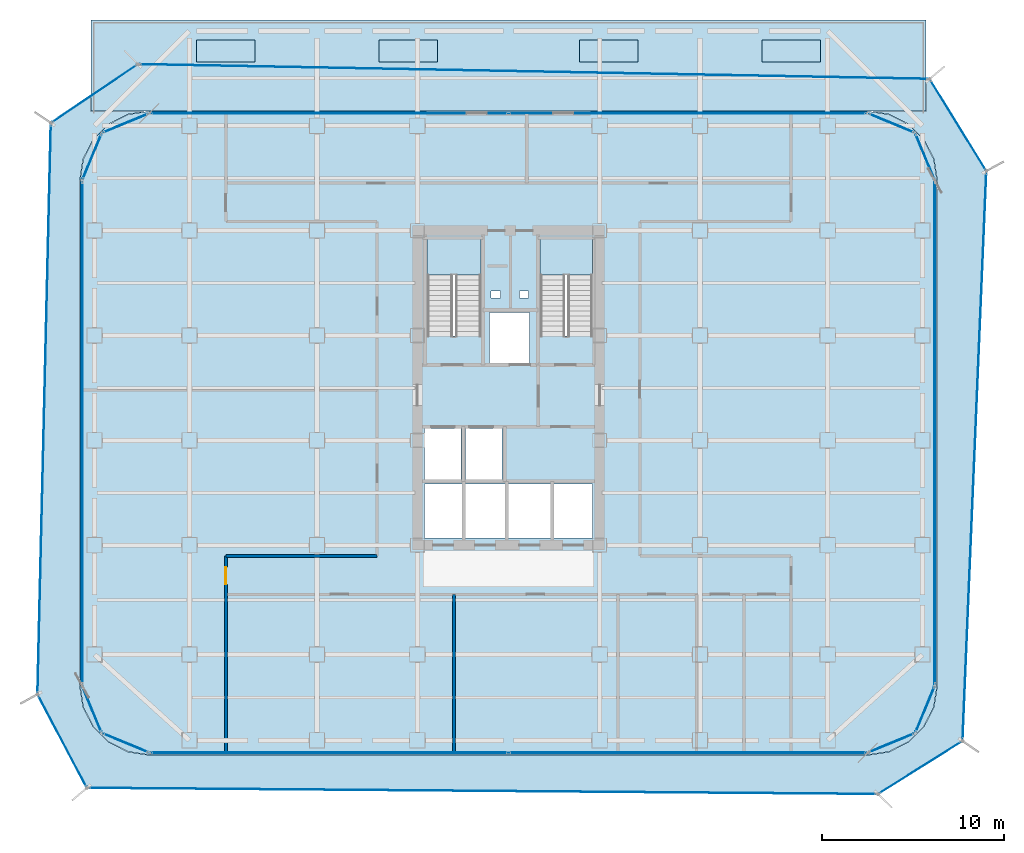
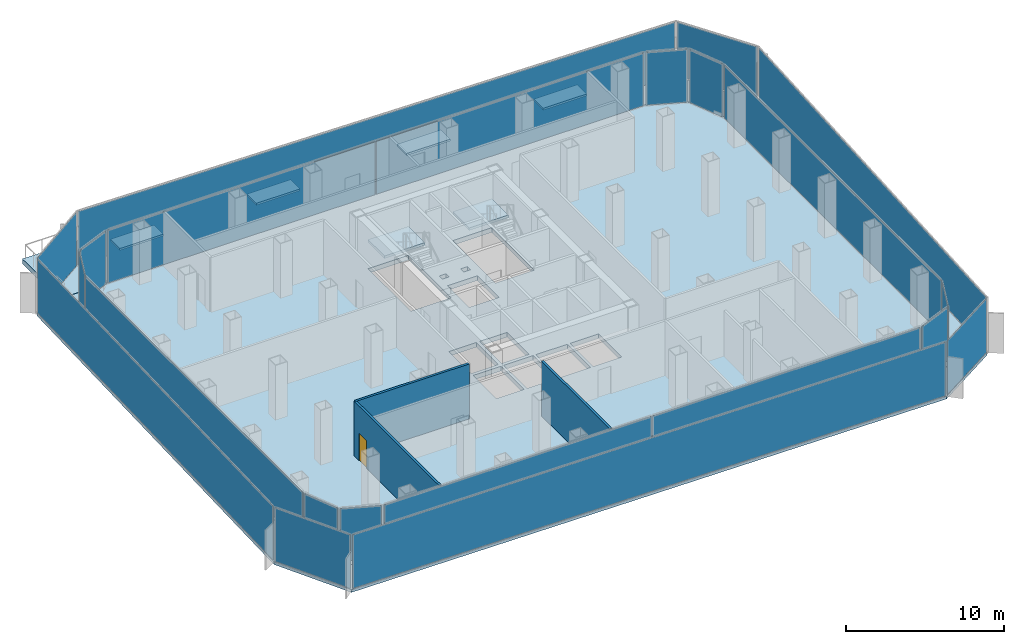
# One storey, part 16 of 21: 22 plates, 9 slabs, 3 walls, 1 door, 1 opening, 22 elements without a shape of their own.
"""IFC4 building model written with IfcOpenShell, lengths in metres."""

from ifc_helpers import new_model, si_unit, direction, frame, frame_2d, origin, origin_2d, place, context, subcontext, project, spatial, polyline, rectangle, outline, extrude, source, transform, mapped, material, layer, layer_set, type_object, element, fill, aggregate, save


model = new_model("IFC4")

# Units and contexts
model_context = context("Model", 3, precision=1e-05, world=origin(), true_north=direction((0.0, 1.0)))
body_context = subcontext(model_context, "Body", "Model", "MODEL_VIEW")
ifc_project = project(units=[si_unit("LENGTHUNIT", "METRE"), si_unit("AREAUNIT", "SQUARE_METRE"), si_unit("VOLUMEUNIT", "CUBIC_METRE"), si_unit("PLANEANGLEUNIT", "RADIAN"), si_unit("MASSUNIT", "GRAM", prefix="KILO")], contexts=[model_context])

# Site, building, storey
site_placement = place(None, origin())
site = spatial("IfcSite", under=ifc_project, at=site_placement, CompositionType="ELEMENT")
building_placement = place(site_placement, origin())
building = spatial("IfcBuilding", under=site, at=building_placement, Name="Kolveth Station Tower", CompositionType="ELEMENT")
storey_placement = place(building_placement, frame((0.0, 0.0, 88.199951171875)))
storey = spatial("IfcBuildingStorey", under=building, at=storey_placement, Name="L23", CompositionType="ELEMENT", Elevation=88.199951171875)

# Slabs
ifc_material_1 = material(Name="Concrete C50/60", Category="concrete")
ifc_layer_1 = layer(ifc_material_1, 0.360107421875)
ifc_layer_set_1 = layer_set([ifc_layer_1], Name="Concrete C50/60")
slab_type_1 = type_object("IfcSlabType", Name="Slab_SF-360", PredefinedType="FLOOR", material=ifc_layer_set_1)
slab_1_placement = place(storey_placement, frame((0.0, 0.0, -0.35986328125)))
element("IfcSlab", 1, at=slab_1_placement, inside=storey, type_object=slab_type_1, Name="L23 Tower Structural Floor Slab", PredefinedType="FLOOR", context=body_context, shape_type="SweptSolid", body=[
    extrude(outline(polyline([(43.199951171875, 0.0), (44.374267578125, 0.18603515625), (45.43359375, 0.7255859375), (46.2744140625, 1.56640625), (46.81396484375, 2.625732421875), (47.0, 3.800048828125), (47.0, 31.5), (46.81396484375, 32.67431640625), (46.2744140625, 33.733642578125), (45.43359375, 34.57421875), (44.374267578125, 35.114013671875), (43.199951171875, 35.300048828125), (3.800048828125, 35.300048828125), (2.625732421875, 35.114013671875), (1.56640625, 34.57421875), (0.7255859375, 33.733642578125), (0.18603515625, 32.67431640625), (0.0, 31.5), (0.0, 3.800048828125), (0.18603515625, 2.625732421875), (0.7255859375, 1.56640625), (1.56640625, 0.7255859375), (2.625732421875, 0.18603515625), (3.800048828125, 0.0), (43.199951171875, 0.0)]), holes=[polyline([(19.0400390625, 22.985107421875), (22.0, 22.985107421875), (22.0, 28.39990234375), (19.0400390625, 28.39990234375), (19.0400390625, 22.985107421875)]), polyline([(25.239990234375, 22.985107421875), (28.10009765625, 22.985107421875), (28.10009765625, 28.39990234375), (25.239990234375, 28.39990234375), (25.239990234375, 22.985107421875)]), polyline([(18.89990234375, 15.10009765625), (20.89990234375, 15.10009765625), (20.89990234375, 17.89990234375), (18.89990234375, 17.89990234375), (18.89990234375, 15.10009765625)]), polyline([(21.14990234375, 15.10009765625), (23.14990234375, 15.10009765625), (23.14990234375, 17.89990234375), (21.14990234375, 17.89990234375), (21.14990234375, 15.10009765625)]), polyline([(22.449951171875, 21.5), (24.64990234375, 21.5), (24.64990234375, 24.25), (22.449951171875, 24.25), (22.449951171875, 21.5)]), polyline([(18.89990234375, 11.89990234375), (20.949951171875, 11.89990234375), (20.949951171875, 14.85009765625), (18.89990234375, 14.85009765625), (18.89990234375, 11.89990234375)]), polyline([(21.14990234375, 11.89990234375), (23.300048828125, 11.89990234375), (23.300048828125, 14.85009765625), (21.14990234375, 14.85009765625), (21.14990234375, 11.89990234375)]), polyline([(23.5, 11.89990234375), (25.800048828125, 11.89990234375), (25.800048828125, 14.85009765625), (23.5, 14.85009765625), (23.5, 11.89990234375)]), polyline([(26.0, 11.89990234375), (28.10009765625, 11.89990234375), (28.10009765625, 14.85009765625), (26.0, 14.85009765625), (26.0, 11.89990234375)]), polyline([(22.550048828125, 25.050048828125), (23.050048828125, 25.050048828125), (23.050048828125, 25.449951171875), (22.550048828125, 25.449951171875), (22.550048828125, 25.050048828125)]), polyline([(24.10009765625, 25.050048828125), (24.60009765625, 25.050048828125), (24.60009765625, 25.449951171875), (24.10009765625, 25.449951171875), (24.10009765625, 25.050048828125)])]), origin(), (0.0, 0.0, 1.0), 0.35986328125),
])
slab_2_placement = place(storey_placement, frame((0.0, 0.0, -0.35986328125)))
element("IfcSlab", 2, at=slab_2_placement, inside=storey, type_object=slab_type_1, Name="L23 North Sky Garden Terrace Slab", PredefinedType="FLOOR", context=body_context, shape_type="SweptSolid", body=[
    extrude(outline(polyline([(0.60009765625, 35.31005859375), (46.39990234375, 35.31005859375), (46.39990234375, 40.300048828125), (0.60009765625, 40.300048828125), (0.60009765625, 35.31005859375)])), origin(), (0.0, 0.0, 1.0), 0.35986328125),
])

# Stair, slab
ifc_material_2 = material(Name="Concrete C40/50", Category="concrete")
stair_type_1 = type_object("IfcStairType", Name="Stair_ST2", PredefinedType="HALF_TURN_STAIR", material=ifc_material_2)
stair_1_placement = place(storey_placement, origin())
stair_1 = element("IfcStair", 3, at=stair_1_placement, inside=storey, type_object=stair_type_1, Name="L23 Tower Exit Stair ST2", PredefinedType="HALF_TURN_STAIR")
ifc_layer_2 = layer(ifc_material_2, 0.18994140625)
ifc_layer_set_2 = layer_set([ifc_layer_2], Name="Concrete C40/50")
slab_type_2 = type_object("IfcSlabType", Name="Slab_SL-190", PredefinedType="LANDING", material=ifc_layer_set_2)
slab_3_placement = place(storey_placement, frame((0.0, 0.0, 2.050048828125)))
slab_3 = element("IfcSlab", 4, at=slab_3_placement, type_object=slab_type_2, Name="ST2 landing 1", PredefinedType="LANDING", context=body_context, shape_type="SweptSolid", body=[
    extrude(outline(polyline([(28.10009765625, 26.31005859375), (28.10009765625, 28.39990234375), (25.239990234375, 28.39990234375), (25.239990234375, 26.31005859375), (28.10009765625, 26.31005859375)])), origin(), (0.0, 0.0, 1.0), 0.199951171875),
])
aggregate(stair_1, [slab_3])

stair_type_2 = type_object("IfcStairType", Name="Stair_ST1", PredefinedType="HALF_TURN_STAIR", material=ifc_material_2)
stair_2_placement = place(storey_placement, origin())
stair_2 = element("IfcStair", 5, at=stair_2_placement, inside=storey, type_object=stair_type_2, Name="L23 Tower Exit Stair ST1", PredefinedType="HALF_TURN_STAIR")
ifc_layer_3 = layer(ifc_material_2, 0.205078125)
ifc_layer_set_3 = layer_set([ifc_layer_3], Name="Concrete C40/50")
slab_type_3 = type_object("IfcSlabType", Name="Slab_SL-205", PredefinedType="LANDING", material=ifc_layer_set_3)
slab_4_placement = place(storey_placement, frame((0.0, 0.0, 2.050048828125)))
slab_4 = element("IfcSlab", 6, at=slab_4_placement, type_object=slab_type_3, Name="ST1 landing 1", PredefinedType="LANDING", context=body_context, shape_type="SweptSolid", body=[
    extrude(outline(polyline([(22.0, 26.31005859375), (22.0, 28.39990234375), (19.0400390625, 28.39990234375), (19.0400390625, 26.31005859375), (22.0, 26.31005859375)])), origin(), (0.0, 0.0, 1.0), 0.199951171875),
])
aggregate(stair_2, [slab_4])

# Slabs
ifc_layer_4 = layer(ifc_material_2, 0.2099609375)
ifc_layer_set_4 = layer_set([ifc_layer_4], Name="Concrete C40/50")
slab_type_4 = type_object("IfcSlabType", Name="Slab_ST-210", PredefinedType="FLOOR", material=ifc_layer_set_4)
slab_5_placement = place(storey_placement, frame((0.0, 0.0, -0.2099609375)))
element("IfcSlab", 7, at=slab_5_placement, inside=storey, type_object=slab_type_4, Name="L23 Double-Skin Cavity Structural Ledger Ring", PredefinedType="FLOOR", context=body_context, shape_type="SweptSolid", body=[
    extrude(outline(polyline([(46.592041015625, 37.068359375), (49.705810546875, 32.020751953125), (48.397216796875, 0.76171875), (43.762939453125, -2.1455078125), (0.385498046875, -1.807373046875), (-2.3251953125, 3.327392578125), (-1.592041015625, 34.650390625), (0.5849609375, 36.12060546875), (0.5849609375, 35.31005859375), (0.586181640625, 35.30419921875), (0.58935546875, 35.29931640625), (0.59423828125, 35.296142578125), (0.60009765625, 35.294921875), (3.672607421875, 35.294921875), (2.623291015625, 35.12890625), (2.618896484375, 35.12744140625), (1.5595703125, 34.587646484375), (1.555908203125, 34.5849609375), (0.715087890625, 33.744140625), (0.71240234375, 33.740478515625), (0.172607421875, 32.68115234375), (0.171142578125, 32.676513671875), (-0.014892578125, 31.502197265625), (-0.014892578125, 31.5), (-0.014892578125, 3.800048828125), (-0.014892578125, 3.797607421875), (0.171142578125, 2.623291015625), (0.172607421875, 2.618896484375), (0.71240234375, 1.5595703125), (0.715087890625, 1.555908203125), (1.555908203125, 0.715087890625), (1.5595703125, 0.71240234375), (2.618896484375, 0.172607421875), (2.623291015625, 0.171142578125), (3.797607421875, -0.014892578125), (3.800048828125, -0.014892578125), (43.199951171875, -0.014892578125), (43.202392578125, -0.014892578125), (44.376708984375, 0.171142578125), (44.381103515625, 0.172607421875), (45.4404296875, 0.71240234375), (45.444091796875, 0.715087890625), (46.284912109375, 1.555908203125), (46.28759765625, 1.5595703125), (46.827392578125, 2.618896484375), (46.828857421875, 2.623291015625), (47.014892578125, 3.797607421875), (47.014892578125, 3.800048828125), (47.014892578125, 31.5), (47.014892578125, 31.502197265625), (46.828857421875, 32.676513671875), (46.827392578125, 32.68115234375), (46.28759765625, 33.740478515625), (46.284912109375, 33.744140625), (45.444091796875, 34.5849609375), (45.4404296875, 34.587646484375), (44.381103515625, 35.12744140625), (44.376708984375, 35.12890625), (43.327392578125, 35.294921875), (46.39990234375, 35.294921875), (46.40576171875, 35.296142578125), (46.41064453125, 35.29931640625), (46.413818359375, 35.30419921875), (46.4150390625, 35.31005859375), (46.4150390625, 37.07177734375), (46.592041015625, 37.068359375)])), origin(), (0.0, 0.0, 1.0), 0.2099609375),
])
ifc_layer_5 = layer(ifc_material_2, 0.159912109375)
ifc_layer_set_5 = layer_set([ifc_layer_5], Name="Concrete C40/50")
slab_type_5 = type_object("IfcSlabType", Name="Slab_PL-160", PredefinedType="FLOOR", material=ifc_layer_set_5)
shared_shape_1 = source(origin(), body_context, "Body", "SweptSolid", [
    extrude(rectangle(XDim=3.199951171875, YDim=1.199951171875, at=origin_2d()), origin(), (0.0, 0.0, 1.0), 0.159912109375),
])
for number, where, z_axis, x_axis, name in (
    (8, (8.0, 38.60009765625, 0.0), (0.0, 0.0, 1.0), (1.0, 0.0, 0.0), "L23 Sky Garden Planter Bed 1"),
    (9, (18.0, 38.60009765625, 0.0), (0.0, 0.0, 1.0), (1.0, 0.0, 0.0), "L23 Sky Garden Planter Bed 2"),
    (10, (29.0, 38.60009765625, 0.0), (0.0, 0.0, 1.0), (1.0, 0.0, 0.0), "L23 Sky Garden Planter Bed 3"),
    (11, (39.0, 38.60009765625, 0.0), (0.0, 0.0, 1.0), (1.0, 0.0, 0.0), "L23 Sky Garden Planter Bed 4"),
):
    element("IfcSlab", number, at=place(storey_placement, frame(where, z_axis=z_axis, x_axis=x_axis)), inside=storey, type_object=slab_type_5, Name=name, PredefinedType="FLOOR", context=body_context, shape_type="MappedRepresentation", body=[
        mapped(shared_shape_1, transform((0.0, 0.0, 0.0), x_axis=(1.0, 0.0, 0.0), y_axis=(0.0, 1.0, 0.0), z_axis=(0.0, 0.0, 1.0), scale=1.0)),
    ])

# Curtain wall, plate
ifc_material_3 = material(Name="Aluminium 6063-T6 and acoustic laminated dark glass", Category="aluminium")
ifc_layer_6 = layer(ifc_material_3, 0.219970703125)
ifc_layer_set_6 = layer_set([ifc_layer_6], Name="Aluminium 6063-T6 and acoustic laminated dark glass")
curtain_wall_type_1 = type_object("IfcCurtainWallType", Name="CurtainWall_CW-SL", PredefinedType="NOTDEFINED", material=ifc_layer_set_6)
curtain_wall_1_placement = place(storey_placement, origin())
curtain_wall_1 = element("IfcCurtainWall", 12, at=curtain_wall_1_placement, inside=storey, type_object=curtain_wall_type_1, Name="L23 Inner Thermal Curtain Wall 1", PredefinedType="NOTDEFINED")
ifc_material_4 = material(Name="Architectural low-E dark glass", Category="glass")
ifc_layer_7 = layer(ifc_material_4, 0.0458984375)
ifc_layer_set_7 = layer_set([ifc_layer_7], Name="Architectural low-E dark glass")
plate_type_1 = type_object("IfcPlateType", Name="Panel_GL-SL", PredefinedType="CURTAIN_PANEL", material=ifc_layer_set_7)
shared_shape_2 = source(origin(), body_context, "Body", "SweptSolid", [
    extrude(rectangle(XDim=2.640625, YDim=0.0458984375, at=origin_2d()), origin(), (0.0, 0.0, 1.0), 4.083984375),
])
plate_1_placement = place(storey_placement, frame((44.501220703125, 0.658935546875, 0.0830078125), z_axis=(0.0, 0.0, 1.0), x_axis=(0.923887883787, 0.38266326998, 0.0)))
plate_1 = element("IfcPlate", 13, at=plate_1_placement, type_object=plate_type_1, Name="CW-SL panel 1.1", PredefinedType="CURTAIN_PANEL", context=body_context, shape_type="MappedRepresentation", body=[
    mapped(shared_shape_2, transform((0.0, 0.0, 0.0), x_axis=(1.0, 0.0, 0.0), y_axis=(0.0, 1.0, 0.0), z_axis=(0.0, 0.0, 1.0), scale=1.0)),
])
aggregate(curtain_wall_1, [plate_1])

curtain_wall_2_placement = place(storey_placement, origin())
curtain_wall_2 = element("IfcCurtainWall", 14, at=curtain_wall_2_placement, inside=storey, type_object=curtain_wall_type_1, Name="L23 Inner Thermal Curtain Wall 2", PredefinedType="NOTDEFINED")
plate_2_placement = place(storey_placement, frame((46.341064453125, 2.498779296875, 0.0830078125), z_axis=(0.0, 0.0, 1.0), x_axis=(0.38266326998, 0.923887883787, 0.0)))
plate_2 = element("IfcPlate", 15, at=plate_2_placement, type_object=plate_type_1, Name="CW-SL panel 1.1", PredefinedType="CURTAIN_PANEL", context=body_context, shape_type="MappedRepresentation", body=[
    mapped(shared_shape_2, transform((0.0, 0.0, 0.0), x_axis=(1.0, 0.0, 0.0), y_axis=(0.0, 1.0, 0.0), z_axis=(0.0, 0.0, 1.0), scale=1.0)),
])
aggregate(curtain_wall_2, [plate_2])

curtain_wall_3_placement = place(storey_placement, origin())
curtain_wall_3 = element("IfcCurtainWall", 16, at=curtain_wall_3_placement, inside=storey, type_object=curtain_wall_type_1, Name="L23 Inner Thermal Curtain Wall 4", PredefinedType="NOTDEFINED")
plate_3_placement = place(storey_placement, frame((46.341064453125, 32.801025390625, 0.0830078125), z_axis=(0.0, 0.0, 1.0), x_axis=(-0.38266326998, 0.923887883787, 0.0)))
plate_3 = element("IfcPlate", 17, at=plate_3_placement, type_object=plate_type_1, Name="CW-SL panel 1.1", PredefinedType="CURTAIN_PANEL", context=body_context, shape_type="MappedRepresentation", body=[
    mapped(shared_shape_2, transform((0.0, 0.0, 0.0), x_axis=(1.0, 0.0, 0.0), y_axis=(0.0, 1.0, 0.0), z_axis=(0.0, 0.0, 1.0), scale=1.0)),
])
aggregate(curtain_wall_3, [plate_3])

curtain_wall_4_placement = place(storey_placement, origin())
curtain_wall_4 = element("IfcCurtainWall", 18, at=curtain_wall_4_placement, inside=storey, type_object=curtain_wall_type_1, Name="L23 Inner Thermal Curtain Wall 5", PredefinedType="NOTDEFINED")
plate_4_placement = place(storey_placement, frame((44.501220703125, 34.64111328125, 0.0830078125), z_axis=(0.0, 0.0, 1.0), x_axis=(-0.923887883787, 0.38266326998, 0.0)))
plate_4 = element("IfcPlate", 19, at=plate_4_placement, type_object=plate_type_1, Name="CW-SL panel 1.1", PredefinedType="CURTAIN_PANEL", context=body_context, shape_type="MappedRepresentation", body=[
    mapped(shared_shape_2, transform((0.0, 0.0, 0.0), x_axis=(1.0, 0.0, 0.0), y_axis=(0.0, 1.0, 0.0), z_axis=(0.0, 0.0, 1.0), scale=1.0)),
])
aggregate(curtain_wall_4, [plate_4])

curtain_wall_5_placement = place(storey_placement, origin())
curtain_wall_5 = element("IfcCurtainWall", 20, at=curtain_wall_5_placement, inside=storey, type_object=curtain_wall_type_1, Name="L23 Inner Thermal Curtain Wall 7", PredefinedType="NOTDEFINED")
plate_5_placement = place(storey_placement, frame((2.498779296875, 34.64111328125, 0.0830078125), z_axis=(0.0, 0.0, 1.0), x_axis=(-0.923887883787, -0.38266326998, 0.0)))
plate_5 = element("IfcPlate", 21, at=plate_5_placement, type_object=plate_type_1, Name="CW-SL panel 1.1", PredefinedType="CURTAIN_PANEL", context=body_context, shape_type="MappedRepresentation", body=[
    mapped(shared_shape_2, transform((0.0, 0.0, 0.0), x_axis=(1.0, 0.0, 0.0), y_axis=(0.0, 1.0, 0.0), z_axis=(0.0, 0.0, 1.0), scale=1.0)),
])
aggregate(curtain_wall_5, [plate_5])

curtain_wall_6_placement = place(storey_placement, origin())
curtain_wall_6 = element("IfcCurtainWall", 22, at=curtain_wall_6_placement, inside=storey, type_object=curtain_wall_type_1, Name="L23 Inner Thermal Curtain Wall 8", PredefinedType="NOTDEFINED")
plate_6_placement = place(storey_placement, frame((0.658935546875, 32.801025390625, 0.0830078125), z_axis=(0.0, 0.0, 1.0), x_axis=(-0.38266326998, -0.923887883787, 0.0)))
plate_6 = element("IfcPlate", 23, at=plate_6_placement, type_object=plate_type_1, Name="CW-SL panel 1.1", PredefinedType="CURTAIN_PANEL", context=body_context, shape_type="MappedRepresentation", body=[
    mapped(shared_shape_2, transform((0.0, 0.0, 0.0), x_axis=(1.0, 0.0, 0.0), y_axis=(0.0, 1.0, 0.0), z_axis=(0.0, 0.0, 1.0), scale=1.0)),
])
aggregate(curtain_wall_6, [plate_6])

curtain_wall_7_placement = place(storey_placement, origin())
curtain_wall_7 = element("IfcCurtainWall", 24, at=curtain_wall_7_placement, inside=storey, type_object=curtain_wall_type_1, Name="L23 Inner Thermal Curtain Wall 10", PredefinedType="NOTDEFINED")
plate_7_placement = place(storey_placement, frame((0.658935546875, 2.498779296875, 0.0830078125), z_axis=(0.0, 0.0, 1.0), x_axis=(0.38266326998, -0.923887883787, 0.0)))
plate_7 = element("IfcPlate", 25, at=plate_7_placement, type_object=plate_type_1, Name="CW-SL panel 1.1", PredefinedType="CURTAIN_PANEL", context=body_context, shape_type="MappedRepresentation", body=[
    mapped(shared_shape_2, transform((0.0, 0.0, 0.0), x_axis=(1.0, 0.0, 0.0), y_axis=(0.0, 1.0, 0.0), z_axis=(0.0, 0.0, 1.0), scale=1.0)),
])
aggregate(curtain_wall_7, [plate_7])

curtain_wall_8_placement = place(storey_placement, origin())
curtain_wall_8 = element("IfcCurtainWall", 26, at=curtain_wall_8_placement, inside=storey, type_object=curtain_wall_type_1, Name="L23 Inner Thermal Curtain Wall 11", PredefinedType="NOTDEFINED")
plate_8_placement = place(storey_placement, frame((2.498779296875, 0.658935546875, 0.0830078125), z_axis=(0.0, 0.0, 1.0), x_axis=(0.923887883787, -0.38266326998, 0.0)))
plate_8 = element("IfcPlate", 27, at=plate_8_placement, type_object=plate_type_1, Name="CW-SL panel 1.1", PredefinedType="CURTAIN_PANEL", context=body_context, shape_type="MappedRepresentation", body=[
    mapped(shared_shape_2, transform((0.0, 0.0, 0.0), x_axis=(1.0, 0.0, 0.0), y_axis=(0.0, 1.0, 0.0), z_axis=(0.0, 0.0, 1.0), scale=1.0)),
])
aggregate(curtain_wall_8, [plate_8])

curtain_wall_9_placement = place(storey_placement, origin())
curtain_wall_9 = element("IfcCurtainWall", 28, at=curtain_wall_9_placement, inside=storey, type_object=curtain_wall_type_1, Name="L23 Inner Thermal Curtain Wall 3", PredefinedType="NOTDEFINED")
shared_shape_3 = source(origin(), body_context, "Body", "SweptSolid", [
    extrude(rectangle(XDim=27.52392578125, YDim=0.0458984375, at=origin_2d()), origin(), (0.0, 0.0, 1.0), 4.083984375),
])
plate_9_placement = place(storey_placement, frame((46.8798828125, 17.64990234375, 0.0830078125), z_axis=(0.0, 0.0, 1.0), x_axis=(0.0, 1.0, 0.0)))
plate_9 = element("IfcPlate", 29, at=plate_9_placement, type_object=plate_type_1, Name="CW-SL panel 1.1", PredefinedType="CURTAIN_PANEL", context=body_context, shape_type="MappedRepresentation", body=[
    mapped(shared_shape_3, transform((0.0, 0.0, 0.0), x_axis=(1.0, 0.0, 0.0), y_axis=(0.0, 1.0, 0.0), z_axis=(0.0, 0.0, 1.0), scale=1.0)),
])
aggregate(curtain_wall_9, [plate_9])

curtain_wall_10_placement = place(storey_placement, origin())
curtain_wall_10 = element("IfcCurtainWall", 30, at=curtain_wall_10_placement, inside=storey, type_object=curtain_wall_type_1, Name="L23 Inner Thermal Curtain Wall 9", PredefinedType="NOTDEFINED")
plate_10_placement = place(storey_placement, frame((0.1201171875, 17.64990234375, 0.0830078125), z_axis=(0.0, 0.0, 1.0), x_axis=(0.0, -1.0, 0.0)))
plate_10 = element("IfcPlate", 31, at=plate_10_placement, type_object=plate_type_1, Name="CW-SL panel 1.1", PredefinedType="CURTAIN_PANEL", context=body_context, shape_type="MappedRepresentation", body=[
    mapped(shared_shape_3, transform((0.0, 0.0, 0.0), x_axis=(1.0, 0.0, 0.0), y_axis=(0.0, 1.0, 0.0), z_axis=(0.0, 0.0, 1.0), scale=1.0)),
])
aggregate(curtain_wall_10, [plate_10])

# Curtain wall, plates
curtain_wall_11_placement = place(storey_placement, origin())
curtain_wall_11 = element("IfcCurtainWall", 32, at=curtain_wall_11_placement, inside=storey, type_object=curtain_wall_type_1, Name="L23 Inner Thermal Curtain Wall 6", PredefinedType="NOTDEFINED")
shared_shape_4 = source(origin(), body_context, "Body", "SweptSolid", [
    extrude(rectangle(XDim=19.571533203125, YDim=0.0458984375, at=origin_2d()), origin(), (0.0, 0.0, 1.0), 4.083984375),
])
plate_11_placement = place(storey_placement, frame((33.326171875, 35.179931640625, 0.0830078125), z_axis=(0.0, 0.0, 1.0), x_axis=(-1.0, 0.0, 0.0)))
plate_11 = element("IfcPlate", 33, at=plate_11_placement, type_object=plate_type_1, Name="CW-SL panel 1.1", PredefinedType="CURTAIN_PANEL", context=body_context, shape_type="MappedRepresentation", body=[
    mapped(shared_shape_4, transform((0.0, 0.0, 0.0), x_axis=(1.0, 0.0, 0.0), y_axis=(0.0, 1.0, 0.0), z_axis=(0.0, 0.0, 1.0), scale=1.0)),
])
plate_12_placement = place(storey_placement, frame((13.673828125, 35.179931640625, 0.0830078125), z_axis=(0.0, 0.0, 1.0), x_axis=(-1.0, 0.0, 0.0)))
plate_12 = element("IfcPlate", 34, at=plate_12_placement, type_object=plate_type_1, Name="CW-SL panel 2.1", PredefinedType="CURTAIN_PANEL", context=body_context, shape_type="MappedRepresentation", body=[
    mapped(shared_shape_4, transform((0.0, 0.0, 0.0), x_axis=(1.0, 0.0, 0.0), y_axis=(0.0, 1.0, 0.0), z_axis=(0.0, 0.0, 1.0), scale=1.0)),
])
aggregate(curtain_wall_11, [plate_11, plate_12])

curtain_wall_12_placement = place(storey_placement, origin())
curtain_wall_12 = element("IfcCurtainWall", 35, at=curtain_wall_12_placement, inside=storey, type_object=curtain_wall_type_1, Name="L23 Inner Thermal Curtain Wall 12", PredefinedType="NOTDEFINED")
plate_13_placement = place(storey_placement, frame((13.673828125, 0.1201171875, 0.0830078125), z_axis=(0.0, 0.0, 1.0), x_axis=(1.0, 0.0, 0.0)))
plate_13 = element("IfcPlate", 36, at=plate_13_placement, type_object=plate_type_1, Name="CW-SL panel 1.1", PredefinedType="CURTAIN_PANEL", context=body_context, shape_type="MappedRepresentation", body=[
    mapped(shared_shape_4, transform((0.0, 0.0, 0.0), x_axis=(1.0, 0.0, 0.0), y_axis=(0.0, 1.0, 0.0), z_axis=(0.0, 0.0, 1.0), scale=1.0)),
])
plate_14_placement = place(storey_placement, frame((33.326171875, 0.1201171875, 0.0830078125), z_axis=(0.0, 0.0, 1.0), x_axis=(1.0, 0.0, 0.0)))
plate_14 = element("IfcPlate", 37, at=plate_14_placement, type_object=plate_type_1, Name="CW-SL panel 2.1", PredefinedType="CURTAIN_PANEL", context=body_context, shape_type="MappedRepresentation", body=[
    mapped(shared_shape_4, transform((0.0, 0.0, 0.0), x_axis=(1.0, 0.0, 0.0), y_axis=(0.0, 1.0, 0.0), z_axis=(0.0, 0.0, 1.0), scale=1.0)),
])
aggregate(curtain_wall_12, [plate_13, plate_14])

# Curtain wall, plate
ifc_material_5 = material(Name="Black anodized aluminium 6063-T6 and dark solar glass", Category="aluminium")
ifc_layer_8 = layer(ifc_material_5, 0.159912109375)
ifc_layer_set_8 = layer_set([ifc_layer_8], Name="Black anodized aluminium 6063-T6 and dark solar glass")
curtain_wall_type_2 = type_object("IfcCurtainWallType", Name="OUTER SKIN CW-OS", PredefinedType="NOTDEFINED", material=ifc_layer_set_8)
curtain_wall_13_placement = place(storey_placement, origin())
curtain_wall_13 = element("IfcCurtainWall", 38, at=curtain_wall_13_placement, inside=storey, type_object=curtain_wall_type_2, Name="L23 Outer Ventilated Skin Curtain Wall 1", PredefinedType="NOTDEFINED")
ifc_layer_9 = layer(ifc_material_4, 0.028076171875)
ifc_layer_set_9 = layer_set([ifc_layer_9], Name="Architectural low-E dark glass")
plate_type_2 = type_object("IfcPlateType", Name="Panel_GL-OS", PredefinedType="CURTAIN_PANEL", material=ifc_layer_set_9)
shared_shape_5 = source(origin(), body_context, "Body", "SweptSolid", [
    extrude(rectangle(XDim=5.3046875, YDim=0.028076171875, at=origin_2d()), origin(), (0.0, 0.0, 1.0), 4.14404296875),
])
plate_15_placement = place(storey_placement, frame((46.080078125, -0.69189453125, 0.072998046875), z_axis=(0.0, 0.0, 1.0), x_axis=(0.847104715999, 0.531426006263, 0.0)))
plate_15 = element("IfcPlate", 39, at=plate_15_placement, type_object=plate_type_2, Name="CW-OS panel 1.1", PredefinedType="CURTAIN_PANEL", context=body_context, shape_type="MappedRepresentation", body=[
    mapped(shared_shape_5, transform((0.0, 0.0, 0.0), x_axis=(1.0, 0.0, 0.0), y_axis=(0.0, 1.0, 0.0), z_axis=(0.0, 0.0, 1.0), scale=1.0)),
])
aggregate(curtain_wall_13, [plate_15])

curtain_wall_14_placement = place(storey_placement, origin())
curtain_wall_14 = element("IfcCurtainWall", 40, at=curtain_wall_14_placement, inside=storey, type_object=curtain_wall_type_2, Name="L23 Outer Ventilated Skin Curtain Wall 2", PredefinedType="NOTDEFINED")
shared_shape_6 = source(origin(), body_context, "Body", "SweptSolid", [
    extrude(rectangle(XDim=31.120361328125, YDim=0.028076171875, at=origin_2d()), origin(), (0.0, 0.0, 1.0), 4.14404296875),
])
plate_16_placement = place(storey_placement, frame((49.051513671875, 16.391357421875, 0.072998046875), z_axis=(0.0, 0.0, 1.0), x_axis=(0.041823451378, 0.999125016659, 0.0)))
plate_16 = element("IfcPlate", 41, at=plate_16_placement, type_object=plate_type_2, Name="CW-OS panel 1.1", PredefinedType="CURTAIN_PANEL", context=body_context, shape_type="MappedRepresentation", body=[
    mapped(shared_shape_6, transform((0.0, 0.0, 0.0), x_axis=(1.0, 0.0, 0.0), y_axis=(0.0, 1.0, 0.0), z_axis=(0.0, 0.0, 1.0), scale=1.0)),
])
aggregate(curtain_wall_14, [plate_16])

curtain_wall_15_placement = place(storey_placement, origin())
curtain_wall_15 = element("IfcCurtainWall", 42, at=curtain_wall_15_placement, inside=storey, type_object=curtain_wall_type_2, Name="L23 Outer Ventilated Skin Curtain Wall 3", PredefinedType="NOTDEFINED")
shared_shape_7 = source(origin(), body_context, "Body", "SweptSolid", [
    extrude(rectangle(XDim=5.764892578125, YDim=0.028076171875, at=origin_2d()), origin(), (0.0, 0.0, 1.0), 4.14404296875),
])
plate_17_placement = place(storey_placement, frame((48.14892578125, 34.54443359375, 0.072998046875), z_axis=(0.0, 0.0, 1.0), x_axis=(-0.525004951327, 0.851099172296, 0.0)))
plate_17 = element("IfcPlate", 43, at=plate_17_placement, type_object=plate_type_2, Name="CW-OS panel 1.1", PredefinedType="CURTAIN_PANEL", context=body_context, shape_type="MappedRepresentation", body=[
    mapped(shared_shape_7, transform((0.0, 0.0, 0.0), x_axis=(1.0, 0.0, 0.0), y_axis=(0.0, 1.0, 0.0), z_axis=(0.0, 0.0, 1.0), scale=1.0)),
])
aggregate(curtain_wall_15, [plate_17])

curtain_wall_16_placement = place(storey_placement, origin())
curtain_wall_16 = element("IfcCurtainWall", 44, at=curtain_wall_16_placement, inside=storey, type_object=curtain_wall_type_2, Name="L23 Outer Ventilated Skin Curtain Wall 4", PredefinedType="NOTDEFINED")
shared_shape_8 = source(origin(), body_context, "Body", "SweptSolid", [
    extrude(rectangle(XDim=43.249755859375, YDim=0.028076171875, at=origin_2d()), origin(), (0.0, 0.0, 1.0), 4.14404296875),
])
plate_18_placement = place(storey_placement, frame((24.887939453125, 37.47216796875, 0.072998046875), z_axis=(0.0, 0.0, 1.0), x_axis=(-0.999827105288, 0.018594610293, 0.0)))
plate_18 = element("IfcPlate", 45, at=plate_18_placement, type_object=plate_type_2, Name="CW-OS panel 1.1", PredefinedType="CURTAIN_PANEL", context=body_context, shape_type="MappedRepresentation", body=[
    mapped(shared_shape_8, transform((0.0, 0.0, 0.0), x_axis=(1.0, 0.0, 0.0), y_axis=(0.0, 1.0, 0.0), z_axis=(0.0, 0.0, 1.0), scale=1.0)),
])
aggregate(curtain_wall_16, [plate_18])

curtain_wall_17_placement = place(storey_placement, origin())
curtain_wall_17 = element("IfcCurtainWall", 46, at=curtain_wall_17_placement, inside=storey, type_object=curtain_wall_type_2, Name="L23 Outer Ventilated Skin Curtain Wall 5", PredefinedType="NOTDEFINED")
shared_shape_9 = source(origin(), body_context, "Body", "SweptSolid", [
    extrude(rectangle(XDim=5.596923828125, YDim=0.028076171875, at=origin_2d()), origin(), (0.0, 0.0, 1.0), 4.14404296875),
])
plate_19_placement = place(storey_placement, frame((0.7958984375, 36.26318359375, 0.072998046875), z_axis=(0.0, 0.0, 1.0), x_axis=(-0.828730571761, -0.559647781581, 0.0)))
plate_19 = element("IfcPlate", 47, at=plate_19_placement, type_object=plate_type_2, Name="CW-OS panel 1.1", PredefinedType="CURTAIN_PANEL", context=body_context, shape_type="MappedRepresentation", body=[
    mapped(shared_shape_9, transform((0.0, 0.0, 0.0), x_axis=(1.0, 0.0, 0.0), y_axis=(0.0, 1.0, 0.0), z_axis=(0.0, 0.0, 1.0), scale=1.0)),
])
aggregate(curtain_wall_17, [plate_19])

curtain_wall_18_placement = place(storey_placement, origin())
curtain_wall_18 = element("IfcCurtainWall", 48, at=curtain_wall_18_placement, inside=storey, type_object=curtain_wall_type_2, Name="L23 Outer Ventilated Skin Curtain Wall 6", PredefinedType="NOTDEFINED")
shared_shape_10 = source(origin(), body_context, "Body", "SweptSolid", [
    extrude(rectangle(XDim=31.165771484375, YDim=0.028076171875, at=origin_2d()), origin(), (0.0, 0.0, 1.0), 4.14404296875),
])
plate_20_placement = place(storey_placement, frame((-1.958740234375, 18.989013671875, 0.072998046875), z_axis=(0.0, 0.0, 1.0), x_axis=(-0.023398044824, -0.999726228274, 0.0)))
plate_20 = element("IfcPlate", 49, at=plate_20_placement, type_object=plate_type_2, Name="CW-OS panel 1.1", PredefinedType="CURTAIN_PANEL", context=body_context, shape_type="MappedRepresentation", body=[
    mapped(shared_shape_10, transform((0.0, 0.0, 0.0), x_axis=(1.0, 0.0, 0.0), y_axis=(0.0, 1.0, 0.0), z_axis=(0.0, 0.0, 1.0), scale=1.0)),
])
aggregate(curtain_wall_18, [plate_20])

curtain_wall_19_placement = place(storey_placement, origin())
curtain_wall_19 = element("IfcCurtainWall", 50, at=curtain_wall_19_placement, inside=storey, type_object=curtain_wall_type_2, Name="L23 Outer Ventilated Skin Curtain Wall 7", PredefinedType="NOTDEFINED")
shared_shape_11 = source(origin(), body_context, "Body", "SweptSolid", [
    extrude(rectangle(XDim=5.640380859375, YDim=0.028076171875, at=origin_2d()), origin(), (0.0, 0.0, 1.0), 4.14404296875),
])
plate_21_placement = place(storey_placement, frame((-0.9697265625, 0.760009765625, 0.072998046875), z_axis=(0.0, 0.0, 1.0), x_axis=(0.466861887767, -0.884330242472, 0.0)))
plate_21 = element("IfcPlate", 51, at=plate_21_placement, type_object=plate_type_2, Name="CW-OS panel 1.1", PredefinedType="CURTAIN_PANEL", context=body_context, shape_type="MappedRepresentation", body=[
    mapped(shared_shape_11, transform((0.0, 0.0, 0.0), x_axis=(1.0, 0.0, 0.0), y_axis=(0.0, 1.0, 0.0), z_axis=(0.0, 0.0, 1.0), scale=1.0)),
])
aggregate(curtain_wall_19, [plate_21])

curtain_wall_20_placement = place(storey_placement, origin())
curtain_wall_20 = element("IfcCurtainWall", 52, at=curtain_wall_20_placement, inside=storey, type_object=curtain_wall_type_2, Name="L23 Outer Ventilated Skin Curtain Wall 8", PredefinedType="NOTDEFINED")
shared_shape_12 = source(origin(), body_context, "Body", "SweptSolid", [
    extrude(rectangle(XDim=43.212646484375, YDim=0.028076171875, at=origin_2d()), origin(), (0.0, 0.0, 1.0), 4.14404296875),
])
plate_22_placement = place(storey_placement, frame((22.07421875, -1.9765625, 0.072998046875), z_axis=(0.0, 0.0, 1.0), x_axis=(0.999969625193, -0.007794144651, 0.0)))
plate_22 = element("IfcPlate", 53, at=plate_22_placement, type_object=plate_type_2, Name="CW-OS panel 1.1", PredefinedType="CURTAIN_PANEL", context=body_context, shape_type="MappedRepresentation", body=[
    mapped(shared_shape_12, transform((0.0, 0.0, 0.0), x_axis=(1.0, 0.0, 0.0), y_axis=(0.0, 1.0, 0.0), z_axis=(0.0, 0.0, 1.0), scale=1.0)),
])
aggregate(curtain_wall_20, [plate_22])

# Wall
ifc_material_6 = material(Name="Acoustic double-stud gypsum partition")
ifc_layer_10 = layer(ifc_material_6, 0.1650390625)
ifc_layer_set_10 = layer_set([ifc_layer_10], Name="Acoustic double-stud gypsum partition")
wall_type = type_object("IfcWallType", Name="Wall_IW-165", PredefinedType="PARTITIONING", material=ifc_layer_set_10)
wall_1_placement = place(storey_placement, frame((8.0, 10.89990234375, 0.0), z_axis=(0.0, 0.0, 1.0), x_axis=(1.0, 0.0, 0.0)))
element("IfcWall", 54, at=wall_1_placement, inside=storey, type_object=wall_type, Name="L23 Partition Wall WL-L23-SLSWT", PredefinedType="PARTITIONING", context=body_context, shape_type="SweptSolid", body=[
    extrude(rectangle(XDim=8.300048828125, YDim=0.1650390625, at=frame_2d((4.14990234375, 0.0))), origin(), (0.0, 0.0, 1.0), 4.25),
])

# Wall, opening, door
wall_2_placement = place(storey_placement, frame((8.0, 0.159912109375, 0.0), z_axis=(0.0, 0.0, 1.0), x_axis=(0.0, 1.0, 0.0)))
wall_2 = element("IfcWall", 55, at=wall_2_placement, inside=storey, type_object=wall_type, Name="L23 Partition Wall WL-L23-SLWE", PredefinedType="PARTITIONING", context=body_context, shape_type="SweptSolid", body=[
    extrude(rectangle(XDim=10.739990234375, YDim=0.1650390625, at=frame_2d((5.3701171875, 0.0))), origin(), (0.0, 0.0, 1.0), 4.25),
])
opening_placement = place(wall_2_placement, frame((9.18994140625, 0.0, 0.0)))
opening = element("IfcOpeningElement", 56, at=opening_placement, cuts=wall_2, Name="Opening ID1", PredefinedType="OPENING", context=body_context, shape_type="SweptSolid", body=[
    extrude(rectangle(XDim=0.949951171875, YDim=2.14990234375, at=frame_2d((0.47509765625, 1.074951171875))), frame((0.0, 0.092529296875, 0.0), z_axis=(0.0, -1.0, 0.0), x_axis=(1.0, 0.0, 0.0)), (0.0, 0.0, 1.0), 0.18505859375),
])
ifc_material_7 = material(Name="Acoustic hardwood leaf and aluminium frame", Category="wood")
door_type = type_object("IfcDoorType", Name="Door_ID1", OperationType="NOTDEFINED", PredefinedType="DOOR", material=ifc_material_7)
door_placement = place(opening_placement, frame((0.949951171875, 0.0, 0.0), z_axis=(0.0, 0.0, 1.0), x_axis=(-1.0, 0.0, 0.0)))
door = element("IfcDoor", 57, at=door_placement, inside=storey, type_object=door_type, Name="L23 Sky Corner Salon SW Door", OperationType="SINGLE_SWING_LEFT", OverallHeight=2.14990234375, OverallWidth=0.949951171875, PredefinedType="DOOR", context=body_context, shape_type="SweptSolid", body=[
    extrude(rectangle(XDim=0.949951171875, YDim=2.14990234375, at=frame_2d((0.47509765625, 1.074951171875))), frame((0.0, 0.02490234375, 0.0), z_axis=(0.0, -1.0, 0.0), x_axis=(1.0, 0.0, 0.0)), (0.0, 0.0, 1.0), 0.050048828125),
])
fill(opening, door)

# Wall
wall_3_placement = place(storey_placement, frame((20.5, 0.159912109375, 0.0), z_axis=(0.0, 0.0, 1.0), x_axis=(0.0, 1.0, 0.0)))
element("IfcWall", 58, at=wall_3_placement, inside=storey, type_object=wall_type, Name="L23 Partition Wall WL-L23-SS-P1", PredefinedType="PARTITIONING", context=body_context, shape_type="SweptSolid", body=[
    extrude(rectangle(XDim=8.64013671875, YDim=0.1650390625, at=frame_2d((4.320068359375, 0.0))), origin(), (0.0, 0.0, 1.0), 4.25),
])

save(model, "model.ifc")
